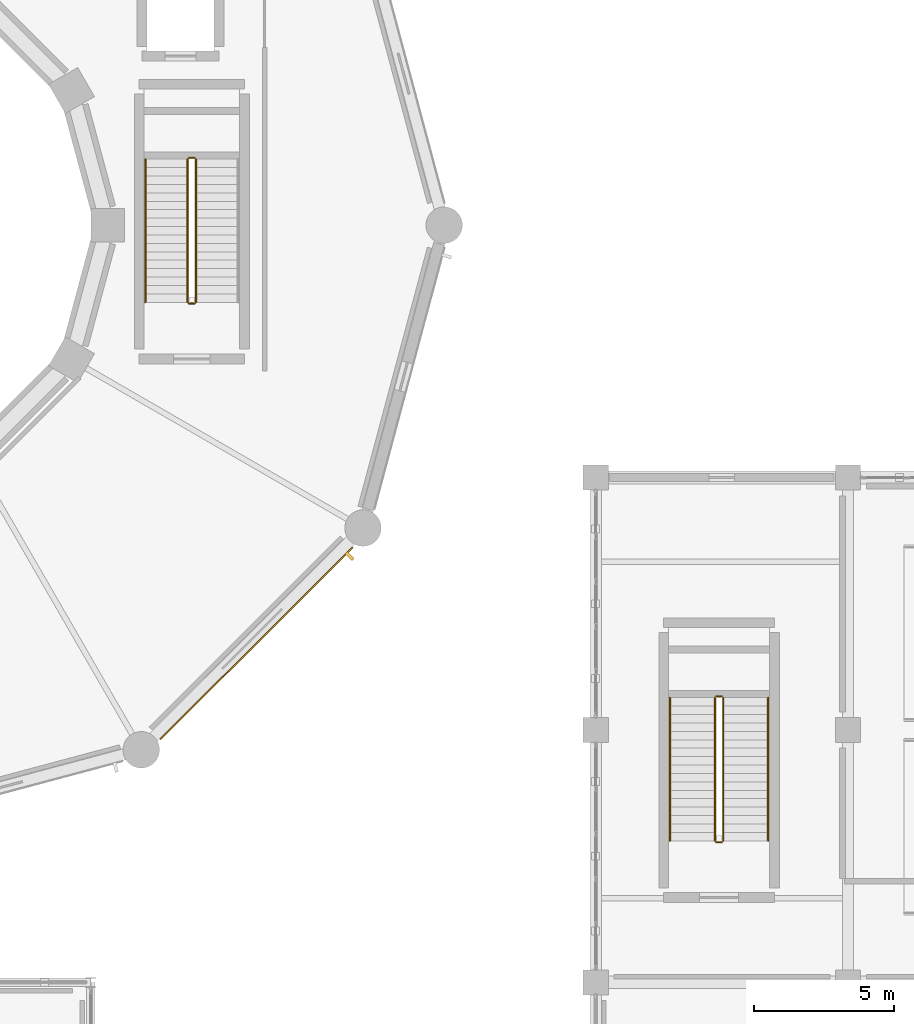
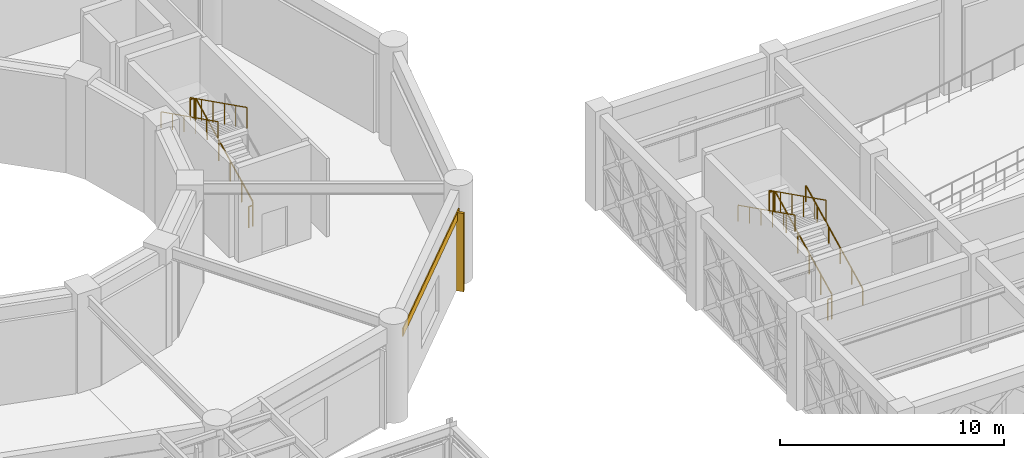
# One storey, part 159 of 166: 11 railings, 1 covering, 1 shading device.
"""IFC4 building model written with IfcOpenShell, lengths in metres."""

from ifc_helpers import new_model, si_unit, direction, frame, origin, origin_2d, place, context, subcontext, project, spatial, rectangle, circle, extrude, material, type_object, element, save


model = new_model("IFC4")

# Units and contexts
model_context = context("Model", 3, precision=1e-05, world=origin(), true_north=direction((0.0, 1.0)))
body_context = subcontext(model_context, "Body", "Model", "MODEL_VIEW")
ifc_project = project(units=[si_unit("LENGTHUNIT", "METRE"), si_unit("AREAUNIT", "SQUARE_METRE"), si_unit("VOLUMEUNIT", "CUBIC_METRE"), si_unit("PLANEANGLEUNIT", "RADIAN"), si_unit("MASSUNIT", "GRAM", prefix="KILO")], contexts=[model_context])

# Site, building, storey
site_placement = place(None, origin())
site = spatial("IfcSite", under=ifc_project, at=site_placement, CompositionType="ELEMENT")
building_placement = place(site_placement, origin())
building = spatial("IfcBuilding", under=site, at=building_placement, Name="Haizhuo Lancet Aquarium", CompositionType="ELEMENT")
storey_placement = place(building_placement, frame((0.0, 0.0, 5.39990234375)))
storey = spatial("IfcBuildingStorey", under=building, at=storey_placement, Name="L01", CompositionType="ELEMENT", Elevation=5.39990234375)

# Railings
ifc_material_1 = material(Name="Steel S355", Category="steel")
railing_type_1 = type_object("IfcRailingType", Name="RL-GRD-1150", PredefinedType="GUARDRAIL", material=ifc_material_1)
railing_1_placement = place(storey_placement, frame((12.75, -2.75, 0.150146484375)))
element("IfcRailing", 1, at=railing_1_placement, inside=storey, type_object=railing_type_1, Name="L01 ST-02 stair guard 1", PredefinedType="GUARDRAIL", context=body_context, shape_type="SweptSolid", body=[
    extrude(circle(Radius=0.02392578125, at=origin_2d()), frame((0.0, 0.02685546875, 1.13916015625), z_axis=(0.0, 0.894427191, 0.4472135955), x_axis=(-1.0, 0.0, 0.0)), (0.0, 0.0, 1.0), 5.64208984375),
    extrude(circle(Radius=0.02099609375, at=origin_2d()), origin(), (0.0, 0.0, 1.0), 1.097900390625),
    extrude(circle(Radius=0.02099609375, at=origin_2d()), frame((0.0, 1.02001953125, 0.510009765625)), (0.0, 0.0, 1.0), 1.097900390625),
    extrude(circle(Radius=0.02099609375, at=origin_2d()), frame((0.0, 2.0400390625, 1.02001953125)), (0.0, 0.0, 1.0), 1.097900390625),
    extrude(circle(Radius=0.02099609375, at=origin_2d()), frame((0.0, 3.06005859375, 1.530029296875)), (0.0, 0.0, 1.0), 1.097900390625),
    extrude(circle(Radius=0.02099609375, at=origin_2d()), frame((0.0, 4.080078125, 2.0400390625)), (0.0, 0.0, 1.0), 1.097900390625),
    extrude(circle(Radius=0.02099609375, at=origin_2d()), frame((0.0, 5.10009765625, 2.550048828125)), (0.0, 0.0, 1.0), 1.097900390625),
])
railing_2_placement = place(storey_placement, frame((12.699951171875, 2.39990234375, 2.7001953125)))
element("IfcRailing", 2, at=railing_2_placement, inside=storey, type_object=railing_type_1, Name="L01 ST-02 stair guard 2", PredefinedType="GUARDRAIL", context=body_context, shape_type="SweptSolid", body=[
    extrude(circle(Radius=0.02392578125, at=origin_2d()), frame((-0.030029296875, 0.0, 1.1259765625), z_axis=(-1.0, 0.0, 0.0), x_axis=(0.0, -1.0, 0.0)), (0.0, 0.0, 1.0), 0.139892578125),
    extrude(circle(Radius=0.02099609375, at=origin_2d()), origin(), (0.0, 0.0, 1.0), 1.097900390625),
    extrude(circle(Radius=0.02099609375, at=origin_2d()), frame((-0.199951171875, 0.0, 0.0)), (0.0, 0.0, 1.0), 1.097900390625),
])
railing_3_placement = place(storey_placement, frame((12.449951171875, 2.35009765625, 2.85009765625)))
element("IfcRailing", 3, at=railing_3_placement, inside=storey, type_object=railing_type_1, Name="L01 ST-02 stair guard 3", PredefinedType="GUARDRAIL", context=body_context, shape_type="SweptSolid", body=[
    extrude(circle(Radius=0.02392578125, at=origin_2d()), frame((0.0, -0.02685546875, 1.13916015625), z_axis=(0.0, -0.894427191, 0.4472135955), x_axis=(1.0, 0.0, 0.0)), (0.0, 0.0, 1.0), 5.64208984375),
    extrude(circle(Radius=0.02099609375, at=origin_2d()), origin(), (0.0, 0.0, 1.0), 1.097900390625),
    extrude(circle(Radius=0.02099609375, at=origin_2d()), frame((0.0, -1.02001953125, 0.510009765625)), (0.0, 0.0, 1.0), 1.097900390625),
    extrude(circle(Radius=0.02099609375, at=origin_2d()), frame((0.0, -2.0400390625, 1.02001953125)), (0.0, 0.0, 1.0), 1.097900390625),
    extrude(circle(Radius=0.02099609375, at=origin_2d()), frame((0.0, -3.06005859375, 1.530029296875)), (0.0, 0.0, 1.0), 1.097900390625),
    extrude(circle(Radius=0.02099609375, at=origin_2d()), frame((0.0, -4.080078125, 2.0400390625)), (0.0, 0.0, 1.0), 1.097900390625),
    extrude(circle(Radius=0.02099609375, at=origin_2d()), frame((0.0, -5.10009765625, 2.550048828125)), (0.0, 0.0, 1.0), 1.097900390625),
])
railing_4_placement = place(storey_placement, frame((12.699951171875, -2.800048828125, 0.0)))
element("IfcRailing", 4, at=railing_4_placement, inside=storey, type_object=railing_type_1, Name="L01 ST-02 stair guard 4", PredefinedType="GUARDRAIL", context=body_context, shape_type="SweptSolid", body=[
    extrude(circle(Radius=0.02392578125, at=origin_2d()), frame((-0.030029296875, 0.0, 1.1259765625), z_axis=(-1.0, 0.0, 0.0), x_axis=(0.0, -1.0, 0.0)), (0.0, 0.0, 1.0), 0.139892578125),
    extrude(circle(Radius=0.02099609375, at=origin_2d()), origin(), (0.0, 0.0, 1.0), 1.097900390625),
    extrude(circle(Radius=0.02099609375, at=origin_2d()), frame((-0.199951171875, 0.0, 0.0)), (0.0, 0.0, 1.0), 1.097900390625),
])
railing_5_placement = place(storey_placement, frame((31.550048828125, -21.949951171875, 0.150146484375)))
element("IfcRailing", 5, at=railing_5_placement, inside=storey, type_object=railing_type_1, Name="L01 ST-04 stair guard 1", PredefinedType="GUARDRAIL", context=body_context, shape_type="SweptSolid", body=[
    extrude(circle(Radius=0.02392578125, at=origin_2d()), frame((0.0, 0.02685546875, 1.13916015625), z_axis=(0.0, 0.894418627299, 0.447230722492), x_axis=(-1.0, 0.0, 0.0)), (0.0, 0.0, 1.0), 5.641845703125),
    extrude(circle(Radius=0.02099609375, at=origin_2d()), origin(), (0.0, 0.0, 1.0), 1.097900390625),
    extrude(circle(Radius=0.02099609375, at=origin_2d()), frame((0.0, 1.02001953125, 0.510009765625)), (0.0, 0.0, 1.0), 1.097900390625),
    extrude(circle(Radius=0.02099609375, at=origin_2d()), frame((0.0, 2.0400390625, 1.02001953125)), (0.0, 0.0, 1.0), 1.097900390625),
    extrude(circle(Radius=0.02099609375, at=origin_2d()), frame((0.0, 3.059814453125, 1.530029296875)), (0.0, 0.0, 1.0), 1.097900390625),
    extrude(circle(Radius=0.02099609375, at=origin_2d()), frame((0.0, 4.079833984375, 2.0400390625)), (0.0, 0.0, 1.0), 1.097900390625),
    extrude(circle(Radius=0.02099609375, at=origin_2d()), frame((0.0, 5.099853515625, 2.550048828125)), (0.0, 0.0, 1.0), 1.097900390625),
])
railing_6_placement = place(storey_placement, frame((31.5, -16.800048828125, 2.7001953125)))
element("IfcRailing", 6, at=railing_6_placement, inside=storey, type_object=railing_type_1, Name="L01 ST-04 stair guard 2", PredefinedType="GUARDRAIL", context=body_context, shape_type="SweptSolid", body=[
    extrude(circle(Radius=0.02392578125, at=origin_2d()), frame((-0.030029296875, 0.0, 1.1259765625), z_axis=(-1.0, 0.0, 0.0), x_axis=(0.0, -1.0, 0.0)), (0.0, 0.0, 1.0), 0.139892578125),
    extrude(circle(Radius=0.02099609375, at=origin_2d()), origin(), (0.0, 0.0, 1.0), 1.097900390625),
    extrude(circle(Radius=0.02099609375, at=origin_2d()), frame((-0.199951171875, 0.0, 0.0)), (0.0, 0.0, 1.0), 1.097900390625),
])
railing_7_placement = place(storey_placement, frame((31.25, -16.85009765625, 2.85009765625)))
element("IfcRailing", 7, at=railing_7_placement, inside=storey, type_object=railing_type_1, Name="L01 ST-04 stair guard 3", PredefinedType="GUARDRAIL", context=body_context, shape_type="SweptSolid", body=[
    extrude(circle(Radius=0.02392578125, at=origin_2d()), frame((0.0, -0.02685546875, 1.13916015625), z_axis=(0.0, -0.894418627299, 0.447230722492), x_axis=(1.0, 0.0, 0.0)), (0.0, 0.0, 1.0), 5.641845703125),
    extrude(circle(Radius=0.02099609375, at=origin_2d()), origin(), (0.0, 0.0, 1.0), 1.097900390625),
    extrude(circle(Radius=0.02099609375, at=origin_2d()), frame((0.0, -1.02001953125, 0.510009765625)), (0.0, 0.0, 1.0), 1.097900390625),
    extrude(circle(Radius=0.02099609375, at=origin_2d()), frame((0.0, -2.0400390625, 1.02001953125)), (0.0, 0.0, 1.0), 1.097900390625),
    extrude(circle(Radius=0.02099609375, at=origin_2d()), frame((0.0, -3.059814453125, 1.530029296875)), (0.0, 0.0, 1.0), 1.097900390625),
    extrude(circle(Radius=0.02099609375, at=origin_2d()), frame((0.0, -4.079833984375, 2.0400390625)), (0.0, 0.0, 1.0), 1.097900390625),
    extrude(circle(Radius=0.02099609375, at=origin_2d()), frame((0.0, -5.099853515625, 2.550048828125)), (0.0, 0.0, 1.0), 1.097900390625),
])
railing_8_placement = place(storey_placement, frame((31.5, -22.0, 0.0)))
element("IfcRailing", 8, at=railing_8_placement, inside=storey, type_object=railing_type_1, Name="L01 ST-04 stair guard 4", PredefinedType="GUARDRAIL", context=body_context, shape_type="SweptSolid", body=[
    extrude(circle(Radius=0.02392578125, at=origin_2d()), frame((-0.030029296875, 0.0, 1.1259765625), z_axis=(-1.0, 0.0, 0.0), x_axis=(0.0, -1.0, 0.0)), (0.0, 0.0, 1.0), 0.139892578125),
    extrude(circle(Radius=0.02099609375, at=origin_2d()), origin(), (0.0, 0.0, 1.0), 1.097900390625),
    extrude(circle(Radius=0.02099609375, at=origin_2d()), frame((-0.199951171875, 0.0, 0.0)), (0.0, 0.0, 1.0), 1.097900390625),
])
railing_type_2 = type_object("IfcRailingType", Name="RL-HDR-900", PredefinedType="HANDRAIL", material=ifc_material_1)
railing_9_placement = place(storey_placement, frame((10.949951171875, 2.35009765625, 2.85009765625)))
element("IfcRailing", 9, at=railing_9_placement, inside=storey, type_object=railing_type_2, Name="L01 ST-02 pitch handrail 2", PredefinedType="HANDRAIL", context=body_context, shape_type="SweptSolid", body=[
    extrude(circle(Radius=0.02392578125, at=origin_2d()), frame((0.0, -0.02685546875, 0.88916015625), z_axis=(0.0, -0.894427191, 0.4472135955), x_axis=(1.0, 0.0, 0.0)), (0.0, 0.0, 1.0), 5.64208984375),
    extrude(circle(Radius=0.02099609375, at=origin_2d()), origin(), (0.0, 0.0, 1.0), 0.847900390625),
    extrude(circle(Radius=0.02099609375, at=origin_2d()), frame((0.0, -1.02001953125, 0.510009765625)), (0.0, 0.0, 1.0), 0.847900390625),
    extrude(circle(Radius=0.02099609375, at=origin_2d()), frame((0.0, -2.0400390625, 1.02001953125)), (0.0, 0.0, 1.0), 0.847900390625),
    extrude(circle(Radius=0.02099609375, at=origin_2d()), frame((0.0, -3.06005859375, 1.530029296875)), (0.0, 0.0, 1.0), 0.847900390625),
    extrude(circle(Radius=0.02099609375, at=origin_2d()), frame((0.0, -4.080078125, 2.0400390625)), (0.0, 0.0, 1.0), 0.847900390625),
    extrude(circle(Radius=0.02099609375, at=origin_2d()), frame((0.0, -5.10009765625, 2.550048828125)), (0.0, 0.0, 1.0), 0.847900390625),
])
railing_10_placement = place(storey_placement, frame((33.14990234375, -21.949951171875, 0.150146484375)))
element("IfcRailing", 10, at=railing_10_placement, inside=storey, type_object=railing_type_2, Name="L01 ST-04 pitch handrail 1", PredefinedType="HANDRAIL", context=body_context, shape_type="SweptSolid", body=[
    extrude(circle(Radius=0.02392578125, at=origin_2d()), frame((0.0, 0.02685546875, 0.88916015625), z_axis=(0.0, 0.894418627299, 0.447230722492), x_axis=(-1.0, 0.0, 0.0)), (0.0, 0.0, 1.0), 5.641845703125),
    extrude(circle(Radius=0.02099609375, at=origin_2d()), origin(), (0.0, 0.0, 1.0), 0.847900390625),
    extrude(circle(Radius=0.02099609375, at=origin_2d()), frame((0.0, 1.02001953125, 0.510009765625)), (0.0, 0.0, 1.0), 0.847900390625),
    extrude(circle(Radius=0.02099609375, at=origin_2d()), frame((0.0, 2.0400390625, 1.02001953125)), (0.0, 0.0, 1.0), 0.847900390625),
    extrude(circle(Radius=0.02099609375, at=origin_2d()), frame((0.0, 3.059814453125, 1.530029296875)), (0.0, 0.0, 1.0), 0.847900390625),
    extrude(circle(Radius=0.02099609375, at=origin_2d()), frame((0.0, 4.079833984375, 2.0400390625)), (0.0, 0.0, 1.0), 0.847900390625),
    extrude(circle(Radius=0.02099609375, at=origin_2d()), frame((0.0, 5.099853515625, 2.550048828125)), (0.0, 0.0, 1.0), 0.847900390625),
])
railing_11_placement = place(storey_placement, frame((29.64990234375, -16.85009765625, 2.85009765625)))
element("IfcRailing", 11, at=railing_11_placement, inside=storey, type_object=railing_type_2, Name="L01 ST-04 pitch handrail 2", PredefinedType="HANDRAIL", context=body_context, shape_type="SweptSolid", body=[
    extrude(circle(Radius=0.02392578125, at=origin_2d()), frame((0.0, -0.02685546875, 0.88916015625), z_axis=(0.0, -0.894418627299, 0.447230722492), x_axis=(1.0, 0.0, 0.0)), (0.0, 0.0, 1.0), 5.641845703125),
    extrude(circle(Radius=0.02099609375, at=origin_2d()), origin(), (0.0, 0.0, 1.0), 0.847900390625),
    extrude(circle(Radius=0.02099609375, at=origin_2d()), frame((0.0, -1.02001953125, 0.510009765625)), (0.0, 0.0, 1.0), 0.847900390625),
    extrude(circle(Radius=0.02099609375, at=origin_2d()), frame((0.0, -2.0400390625, 1.02001953125)), (0.0, 0.0, 1.0), 0.847900390625),
    extrude(circle(Radius=0.02099609375, at=origin_2d()), frame((0.0, -3.059814453125, 1.530029296875)), (0.0, 0.0, 1.0), 0.847900390625),
    extrude(circle(Radius=0.02099609375, at=origin_2d()), frame((0.0, -4.079833984375, 2.0400390625)), (0.0, 0.0, 1.0), 0.847900390625),
    extrude(circle(Radius=0.02099609375, at=origin_2d()), frame((0.0, -5.099853515625, 2.550048828125)), (0.0, 0.0, 1.0), 0.847900390625),
])

# Covering
ifc_material_2 = material(Name="Shandong Grey Limestone Ashlar", Category="masonry")
covering_type = type_object("IfcCoveringType", Name="COV-CLD-STN", PredefinedType="CLADDING", material=ifc_material_2)
covering_placement = place(storey_placement, frame((14.908935546875, -14.908935546875, 3.8251953125), z_axis=(0.0, 0.0, 1.0), x_axis=(-0.707106781187, -0.707106781187, 0.0)))
element("IfcCovering", 12, at=covering_placement, inside=storey, type_object=covering_type, material=ifc_material_2, Name="L01 limestone ashlar spandrel cladding 11", PredefinedType="CLADDING", context=body_context, shape_type="SweptSolid", body=[
    extrude(rectangle(XDim=9.69189453125, YDim=0.050048828125, at=origin_2d()), origin(), (0.0, 0.0, 1.0), 0.449951171875),
])

# Shading device
shading_device_type = type_object("IfcShadingDeviceType", Name="SHD-LAN-FIN", PredefinedType="JALOUSIE", material=ifc_material_2)
shading_device_placement = place(storey_placement, frame((18.22607421875, -11.797119140625, 0.000732421875), z_axis=(0.0, 0.0, 1.0), x_axis=(-0.707106781187, -0.707106781187, 0.0)))
element("IfcShadingDevice", 13, at=shading_device_placement, inside=storey, type_object=shading_device_type, material=ifc_material_2, Name="L01 Gothic lancet stone solar fin 11", PredefinedType="JALOUSIE", context=body_context, shape_type="SweptSolid", body=[
    extrude(rectangle(XDim=0.1201171875, YDim=0.35009765625, at=origin_2d()), origin(), (0.0, 0.0, 1.0), 4.27490234375),
])

save(model, "model.ifc")
